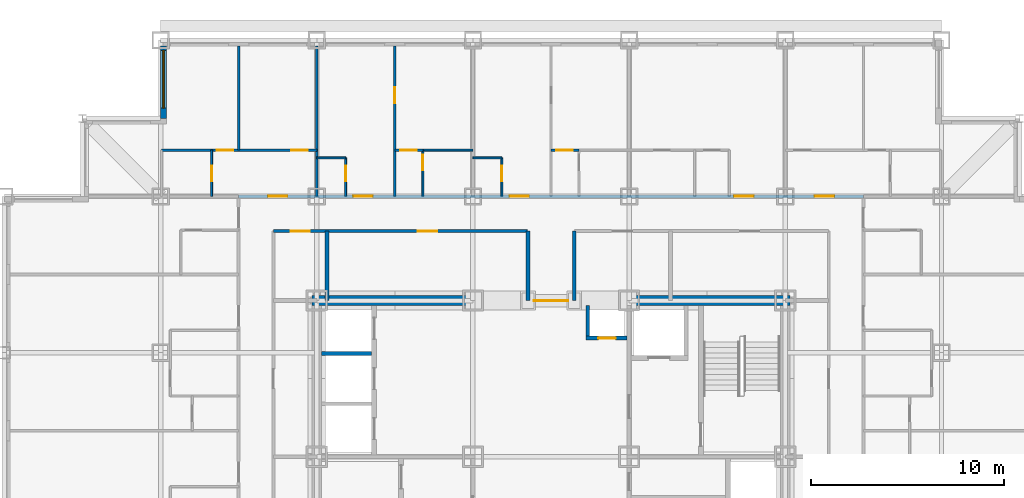
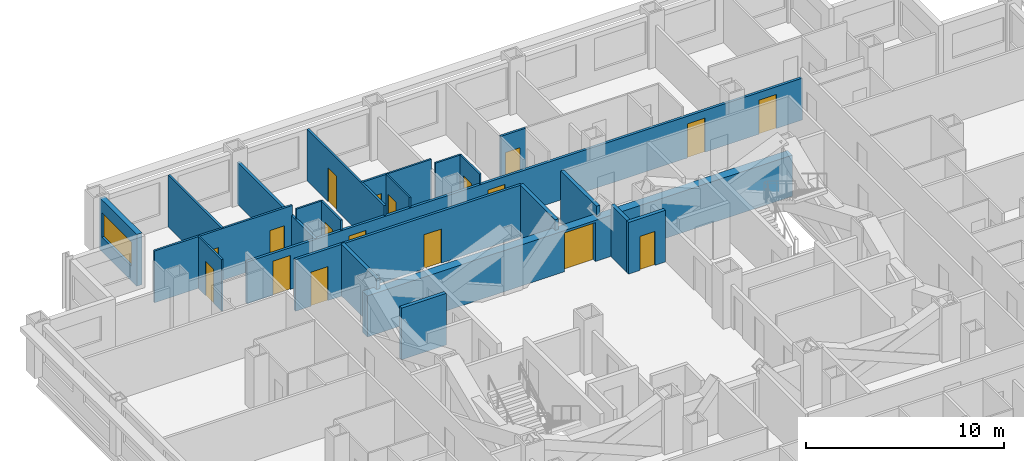
# One storey, part 9 of 12: 23 walls, 18 doors, 1 window, 19 openings.
"""IFC4 building model written with IfcOpenShell, lengths in metres."""

from ifc_helpers import new_model, si_unit, direction, frame, frame_2d, origin, place, context, subcontext, project, spatial, rectangle, extrude, material, layer, layer_set, type_object, element, fill, save


model = new_model("IFC4")

# Units and contexts
model_context = context("Model", 3, precision=1e-05, world=origin(), true_north=direction((0.0, 1.0)))
body_context = subcontext(model_context, "Body", "Model", "MODEL_VIEW")
ifc_project = project(units=[si_unit("LENGTHUNIT", "METRE"), si_unit("AREAUNIT", "SQUARE_METRE"), si_unit("VOLUMEUNIT", "CUBIC_METRE"), si_unit("PLANEANGLEUNIT", "RADIAN"), si_unit("MASSUNIT", "GRAM", prefix="KILO")], contexts=[model_context])

# Site, building, storey
site_placement = place(None, origin())
site = spatial("IfcSite", under=ifc_project, at=site_placement, CompositionType="ELEMENT")
building_placement = place(site_placement, origin())
building = spatial("IfcBuilding", under=site, at=building_placement, Name="Kopane Lantern Tower", CompositionType="ELEMENT")
storey_placement = place(building_placement, frame((0.0, 0.0, 117.0)))
storey = spatial("IfcBuildingStorey", under=building, at=storey_placement, Name="L29", CompositionType="ELEMENT", Elevation=117.0)

# Wall, opening, door
ifc_material_1 = material(Name="Gypsum board on steel studs", Category="steel")
ifc_layer_1 = layer(ifc_material_1, 0.1201171875)
ifc_layer_set_1 = layer_set([ifc_layer_1], Name="APARTMENT INTERNAL WALL 120")
wall_type_1 = type_object("IfcWallType", Name="APARTMENT INTERNAL WALL 120", PredefinedType="PARTITIONING", material=ifc_layer_set_1)
wall_1_placement = place(storey_placement, frame((20.25, 45.89990234375, 0.0), z_axis=(0.0, 0.0, 1.0), x_axis=(0.0, 1.0, 0.0)))
wall_1 = element("IfcWall", 1, at=wall_1_placement, inside=storey, type_object=wall_type_1, Name="Apartment Internal Wall 120 L29", PredefinedType="PARTITIONING", context=body_context, shape_type="SweptSolid", body=[
    extrude(rectangle(XDim=7.800048828125, YDim=0.1201171875, at=frame_2d((3.89990234375, 0.0))), origin(), (0.0, 0.0, 1.0), 3.18994140625),
])
opening_1_placement = place(wall_1_placement, frame((4.824951171875, 0.0, 0.0)))
opening_1 = element("IfcOpeningElement", 2, at=opening_1_placement, cuts=wall_1, Name="Opening L29-027", PredefinedType="OPENING", context=body_context, shape_type="SweptSolid", body=[
    extrude(rectangle(XDim=0.85009765625, YDim=2.10009765625, at=frame_2d((0.425048828125, 1.050048828125))), frame((0.0, 0.070068359375, 0.0), z_axis=(0.0, -1.0, 0.0), x_axis=(1.0, 0.0, 0.0)), (0.0, 0.0, 1.0), 0.14013671875),
])
ifc_material_2 = material(Name="Timber door set", Category="wood")
door_type_1 = type_object("IfcDoorType", Name="DOOR D4 850x2100", OperationType="SINGLE_SWING_LEFT", PredefinedType="DOOR", material=ifc_material_2)
door_1_placement = place(opening_1_placement, origin())
door_1 = element("IfcDoor", 3, at=door_1_placement, inside=storey, type_object=door_type_1, Name="Door L29-027", OperationType="SINGLE_SWING_RIGHT", OverallHeight=2.10009765625, OverallWidth=0.85009765625, PredefinedType="DOOR", context=body_context, shape_type="SweptSolid", body=[
    extrude(rectangle(XDim=0.85009765625, YDim=2.10009765625, at=frame_2d((0.425048828125, 1.050048828125))), frame((0.0, 0.02490234375, 0.0), z_axis=(0.0, -1.0, 0.0), x_axis=(1.0, 0.0, 0.0)), (0.0, 0.0, 1.0), 0.050048828125),
])
fill(opening_1, door_1)

# Wall, openings, doors
wall_2_placement = place(storey_placement, frame((8.14990234375, 48.300048828125, 0.0), z_axis=(0.0, 0.0, 1.0), x_axis=(1.0, 0.0, 0.0)))
wall_2 = element("IfcWall", 4, at=wall_2_placement, inside=storey, type_object=wall_type_1, Name="Apartment Internal Wall 120 L29", PredefinedType="PARTITIONING", context=body_context, shape_type="SweptSolid", body=[
    extrude(rectangle(XDim=8.050048828125, YDim=0.1201171875, at=frame_2d((4.02490234375, 0.0))), origin(), (0.0, 0.0, 1.0), 3.18994140625),
])
opening_2_placement = place(wall_2_placement, frame((6.72509765625, 0.0, 0.0)))
opening_2 = element("IfcOpeningElement", 5, at=opening_2_placement, cuts=wall_2, Name="Opening L29-072", PredefinedType="OPENING", context=body_context, shape_type="SweptSolid", body=[
    extrude(rectangle(XDim=0.85009765625, YDim=2.10009765625, at=frame_2d((0.425048828125, 1.050048828125))), frame((0.0, 0.070068359375, 0.0), z_axis=(0.0, -1.0, 0.0), x_axis=(1.0, 0.0, 0.0)), (0.0, 0.0, 1.0), 0.14013671875),
])
opening_3_placement = place(wall_2_placement, frame((2.875, 0.0, 0.0)))
opening_3 = element("IfcOpeningElement", 6, at=opening_3_placement, cuts=wall_2, Name="Opening L29-074", PredefinedType="OPENING", context=body_context, shape_type="SweptSolid", body=[
    extrude(rectangle(XDim=0.85009765625, YDim=2.10009765625, at=frame_2d((0.425048828125, 1.050048828125))), frame((0.0, 0.070068359375, 0.0), z_axis=(0.0, -1.0, 0.0), x_axis=(1.0, 0.0, 0.0)), (0.0, 0.0, 1.0), 0.14013671875),
])
door_2_placement = place(opening_2_placement, origin())
door_2 = element("IfcDoor", 7, at=door_2_placement, inside=storey, type_object=door_type_1, Name="Door L29-072", OperationType="SINGLE_SWING_LEFT", OverallHeight=2.10009765625, OverallWidth=0.85009765625, PredefinedType="DOOR", context=body_context, shape_type="SweptSolid", body=[
    extrude(rectangle(XDim=0.85009765625, YDim=2.10009765625, at=frame_2d((0.425048828125, 1.050048828125))), frame((0.0, 0.02490234375, 0.0), z_axis=(0.0, -1.0, 0.0), x_axis=(1.0, 0.0, 0.0)), (0.0, 0.0, 1.0), 0.050048828125),
])
fill(opening_2, door_2)
door_3_placement = place(opening_3_placement, origin())
door_3 = element("IfcDoor", 8, at=door_3_placement, inside=storey, type_object=door_type_1, Name="Door L29-074", OperationType="SINGLE_SWING_RIGHT", OverallHeight=2.10009765625, OverallWidth=0.85009765625, PredefinedType="DOOR", context=body_context, shape_type="SweptSolid", body=[
    extrude(rectangle(XDim=0.85009765625, YDim=2.10009765625, at=frame_2d((0.425048828125, 1.050048828125))), frame((0.0, 0.02490234375, 0.0), z_axis=(0.0, -1.0, 0.0), x_axis=(1.0, 0.0, 0.0)), (0.0, 0.0, 1.0), 0.050048828125),
])
fill(opening_3, door_3)

# Wall
wall_3_placement = place(storey_placement, frame((12.14990234375, 48.300048828125, 0.0), z_axis=(0.0, 0.0, 1.0), x_axis=(0.0, 1.0, 0.0)))
element("IfcWall", 9, at=wall_3_placement, inside=storey, type_object=wall_type_1, Name="Apartment Internal Wall 120 L29", PredefinedType="PARTITIONING", context=body_context, shape_type="SweptSolid", body=[
    extrude(rectangle(XDim=5.39990234375, YDim=0.1201171875, at=frame_2d((2.699951171875, 0.0))), origin(), (0.0, 0.0, 1.0), 3.18994140625),
])

# Wall, opening, door
wall_4_placement = place(storey_placement, frame((20.25, 48.300048828125, 0.0), z_axis=(0.0, 0.0, 1.0), x_axis=(1.0, 0.0, 0.0)))
wall_4 = element("IfcWall", 10, at=wall_4_placement, inside=storey, type_object=wall_type_1, Name="Apartment Internal Wall 120 L29", PredefinedType="PARTITIONING", context=body_context, shape_type="SweptSolid", body=[
    extrude(rectangle(XDim=1.4599609375, YDim=0.1201171875, at=frame_2d((0.72998046875, 0.0))), origin(), (0.0, 0.0, 1.0), 3.18994140625),
])
opening_4_placement = place(wall_4_placement, frame((0.27490234375, 0.0, 0.0)))
opening_4 = element("IfcOpeningElement", 11, at=opening_4_placement, cuts=wall_4, Name="Opening L29-078", PredefinedType="OPENING", context=body_context, shape_type="SweptSolid", body=[
    extrude(rectangle(XDim=0.85009765625, YDim=2.10009765625, at=frame_2d((0.425048828125, 1.050048828125))), frame((0.0, 0.070068359375, 0.0), z_axis=(0.0, -1.0, 0.0), x_axis=(1.0, 0.0, 0.0)), (0.0, 0.0, 1.0), 0.14013671875),
])
door_4_placement = place(opening_4_placement, origin())
door_4 = element("IfcDoor", 12, at=door_4_placement, inside=storey, type_object=door_type_1, Name="Door L29-078", OperationType="SINGLE_SWING_LEFT", OverallHeight=2.10009765625, OverallWidth=0.85009765625, PredefinedType="DOOR", context=body_context, shape_type="SweptSolid", body=[
    extrude(rectangle(XDim=0.85009765625, YDim=2.10009765625, at=frame_2d((0.425048828125, 1.050048828125))), frame((0.0, 0.02490234375, 0.0), z_axis=(0.0, -1.0, 0.0), x_axis=(1.0, 0.0, 0.0)), (0.0, 0.0, 1.0), 0.050048828125),
])
fill(opening_4, door_4)

wall_5_placement = place(storey_placement, frame((28.35009765625, 48.300048828125, 0.0), z_axis=(0.0, 0.0, 1.0), x_axis=(1.0, 0.0, 0.0)))
wall_5 = element("IfcWall", 13, at=wall_5_placement, inside=storey, type_object=wall_type_1, Name="Apartment Internal Wall 120 L29", PredefinedType="PARTITIONING", context=body_context, shape_type="SweptSolid", body=[
    extrude(rectangle(XDim=1.4599609375, YDim=0.1201171875, at=frame_2d((0.72998046875, 0.0))), origin(), (0.0, 0.0, 1.0), 3.18994140625),
])
opening_5_placement = place(wall_5_placement, frame((0.27490234375, 0.0, 0.0)))
opening_5 = element("IfcOpeningElement", 14, at=opening_5_placement, cuts=wall_5, Name="Opening L29-079", PredefinedType="OPENING", context=body_context, shape_type="SweptSolid", body=[
    extrude(rectangle(XDim=0.85009765625, YDim=2.10009765625, at=frame_2d((0.425048828125, 1.050048828125))), frame((0.0, 0.070068359375, 0.0), z_axis=(0.0, -1.0, 0.0), x_axis=(1.0, 0.0, 0.0)), (0.0, 0.0, 1.0), 0.14013671875),
])
door_5_placement = place(opening_5_placement, origin())
door_5 = element("IfcDoor", 15, at=door_5_placement, inside=storey, type_object=door_type_1, Name="Door L29-079", OperationType="SINGLE_SWING_LEFT", OverallHeight=2.10009765625, OverallWidth=0.85009765625, PredefinedType="DOOR", context=body_context, shape_type="SweptSolid", body=[
    extrude(rectangle(XDim=0.85009765625, YDim=2.10009765625, at=frame_2d((0.425048828125, 1.050048828125))), frame((0.0, 0.02490234375, 0.0), z_axis=(0.0, -1.0, 0.0), x_axis=(1.0, 0.0, 0.0)), (0.0, 0.0, 1.0), 0.050048828125),
])
fill(opening_5, door_5)

# Wall
ifc_material_3 = material(Name="Moisture-resistant board on steel studs", Category="steel")
ifc_layer_2 = layer(ifc_material_3, 0.10009765625)
ifc_layer_set_2 = layer_set([ifc_layer_2], Name="BATHROOM WALL 100")
wall_type_2 = type_object("IfcWallType", Name="BATHROOM WALL 100", PredefinedType="PARTITIONING", material=ifc_layer_set_2)
wall_6_placement = place(storey_placement, frame((16.199951171875, 47.89990234375, 0.0), z_axis=(0.0, 0.0, 1.0), x_axis=(1.0, 0.0, 0.0)))
element("IfcWall", 16, at=wall_6_placement, inside=storey, type_object=wall_type_2, Name="Bathroom Wall 100 L29", PredefinedType="PARTITIONING", context=body_context, shape_type="SweptSolid", body=[
    extrude(rectangle(XDim=1.5, YDim=0.10009765625, at=frame_2d((0.75, 0.0))), origin(), (0.0, 0.0, 1.0), 3.18994140625),
])

# Wall, opening, door
wall_7_placement = place(storey_placement, frame((17.699951171875, 45.89990234375, 0.0), z_axis=(0.0, 0.0, 1.0), x_axis=(0.0, 1.0, 0.0)))
wall_7 = element("IfcWall", 17, at=wall_7_placement, inside=storey, type_object=wall_type_2, Name="Bathroom Wall 100 L29", PredefinedType="PARTITIONING", context=body_context, shape_type="SweptSolid", body=[
    extrude(rectangle(XDim=2.0, YDim=0.10009765625, at=frame_2d((1.0, 0.0))), origin(), (0.0, 0.0, 1.0), 3.18994140625),
])
opening_6_placement = place(wall_7_placement, frame((0.800048828125, 0.0, 0.0)))
opening_6 = element("IfcOpeningElement", 18, at=opening_6_placement, cuts=wall_7, Name="Opening L29-024", PredefinedType="OPENING", context=body_context, shape_type="SweptSolid", body=[
    extrude(rectangle(XDim=0.800048828125, YDim=2.10009765625, at=frame_2d((0.39990234375, 1.050048828125))), frame((0.0, 0.06005859375, 0.0), z_axis=(0.0, -1.0, 0.0), x_axis=(1.0, 0.0, 0.0)), (0.0, 0.0, 1.0), 0.1201171875),
])
ifc_material_4 = material(Name="Timber door set", Category="wood")
door_type_2 = type_object("IfcDoorType", Name="DOOR D2 800x2100", OperationType="SINGLE_SWING_LEFT", PredefinedType="DOOR", material=ifc_material_4)
door_6_placement = place(opening_6_placement, origin())
door_6 = element("IfcDoor", 19, at=door_6_placement, inside=storey, type_object=door_type_2, Name="Door L29-024", OperationType="SINGLE_SWING_RIGHT", OverallHeight=2.10009765625, OverallWidth=0.800048828125, PredefinedType="DOOR", context=body_context, shape_type="SweptSolid", body=[
    extrude(rectangle(XDim=0.800048828125, YDim=2.10009765625, at=frame_2d((0.39990234375, 1.050048828125))), frame((0.0, 0.02490234375, 0.0), z_axis=(0.0, -1.0, 0.0), x_axis=(1.0, 0.0, 0.0)), (0.0, 0.0, 1.0), 0.050048828125),
])
fill(opening_6, door_6)

# Wall
wall_8_placement = place(storey_placement, frame((21.699951171875, 48.300048828125, 0.0), z_axis=(0.0, 0.0, 1.0), x_axis=(1.0, 0.0, 0.0)))
element("IfcWall", 20, at=wall_8_placement, inside=storey, type_object=wall_type_2, Name="Bathroom Wall 100 L29", PredefinedType="PARTITIONING", context=body_context, shape_type="SweptSolid", body=[
    extrude(rectangle(XDim=2.60009765625, YDim=0.10009765625, at=frame_2d((1.300048828125, 0.0))), origin(), (0.0, 0.0, 1.0), 3.18994140625),
])

# Wall, opening, door
wall_9_placement = place(storey_placement, frame((21.699951171875, 45.89990234375, 0.0), z_axis=(0.0, 0.0, 1.0), x_axis=(0.0, 1.0, 0.0)))
wall_9 = element("IfcWall", 21, at=wall_9_placement, inside=storey, type_object=wall_type_2, Name="Bathroom Wall 100 L29", PredefinedType="PARTITIONING", context=body_context, shape_type="SweptSolid", body=[
    extrude(rectangle(XDim=2.400146484375, YDim=0.10009765625, at=frame_2d((1.2001953125, 0.0))), origin(), (0.0, 0.0, 1.0), 3.18994140625),
])
opening_7_placement = place(wall_9_placement, frame((1.35009765625, 0.0, 0.0)))
opening_7 = element("IfcOpeningElement", 22, at=opening_7_placement, cuts=wall_9, Name="Opening L29-026", PredefinedType="OPENING", context=body_context, shape_type="SweptSolid", body=[
    extrude(rectangle(XDim=0.800048828125, YDim=2.10009765625, at=frame_2d((0.39990234375, 1.050048828125))), frame((0.0, 0.06005859375, 0.0), z_axis=(0.0, -1.0, 0.0), x_axis=(1.0, 0.0, 0.0)), (0.0, 0.0, 1.0), 0.1201171875),
])
door_7_placement = place(opening_7_placement, origin())
door_7 = element("IfcDoor", 23, at=door_7_placement, inside=storey, type_object=door_type_2, Name="Door L29-026", OperationType="SINGLE_SWING_RIGHT", OverallHeight=2.10009765625, OverallWidth=0.800048828125, PredefinedType="DOOR", context=body_context, shape_type="SweptSolid", body=[
    extrude(rectangle(XDim=0.800048828125, YDim=2.10009765625, at=frame_2d((0.39990234375, 1.050048828125))), frame((0.0, 0.02490234375, 0.0), z_axis=(0.0, -1.0, 0.0), x_axis=(1.0, 0.0, 0.0)), (0.0, 0.0, 1.0), 0.050048828125),
])
fill(opening_7, door_7)

# Wall
wall_10_placement = place(storey_placement, frame((24.300048828125, 47.89990234375, 0.0), z_axis=(0.0, 0.0, 1.0), x_axis=(1.0, 0.0, 0.0)))
element("IfcWall", 24, at=wall_10_placement, inside=storey, type_object=wall_type_2, Name="Bathroom Wall 100 L29", PredefinedType="PARTITIONING", context=body_context, shape_type="SweptSolid", body=[
    extrude(rectangle(XDim=1.5, YDim=0.10009765625, at=frame_2d((0.75, 0.0))), origin(), (0.0, 0.0, 1.0), 3.18994140625),
])

# Wall, opening, door
wall_11_placement = place(storey_placement, frame((25.800048828125, 45.89990234375, 0.0), z_axis=(0.0, 0.0, 1.0), x_axis=(0.0, 1.0, 0.0)))
wall_11 = element("IfcWall", 25, at=wall_11_placement, inside=storey, type_object=wall_type_2, Name="Bathroom Wall 100 L29", PredefinedType="PARTITIONING", context=body_context, shape_type="SweptSolid", body=[
    extrude(rectangle(XDim=2.0, YDim=0.10009765625, at=frame_2d((1.0, 0.0))), origin(), (0.0, 0.0, 1.0), 3.18994140625),
])
opening_8_placement = place(wall_11_placement, frame((0.800048828125, 0.0, 0.0)))
opening_8 = element("IfcOpeningElement", 26, at=opening_8_placement, cuts=wall_11, Name="Opening L29-028", PredefinedType="OPENING", context=body_context, shape_type="SweptSolid", body=[
    extrude(rectangle(XDim=0.800048828125, YDim=2.10009765625, at=frame_2d((0.39990234375, 1.050048828125))), frame((0.0, 0.06005859375, 0.0), z_axis=(0.0, -1.0, 0.0), x_axis=(1.0, 0.0, 0.0)), (0.0, 0.0, 1.0), 0.1201171875),
])
door_8_placement = place(opening_8_placement, origin())
door_8 = element("IfcDoor", 27, at=door_8_placement, inside=storey, type_object=door_type_2, Name="Door L29-028", OperationType="SINGLE_SWING_RIGHT", OverallHeight=2.10009765625, OverallWidth=0.800048828125, PredefinedType="DOOR", context=body_context, shape_type="SweptSolid", body=[
    extrude(rectangle(XDim=0.800048828125, YDim=2.10009765625, at=frame_2d((0.39990234375, 1.050048828125))), frame((0.0, 0.02490234375, 0.0), z_axis=(0.0, -1.0, 0.0), x_axis=(1.0, 0.0, 0.0)), (0.0, 0.0, 1.0), 0.050048828125),
])
fill(opening_8, door_8)

wall_12_placement = place(storey_placement, frame((10.75, 45.89990234375, 0.0), z_axis=(0.0, 0.0, 1.0), x_axis=(0.0, 1.0, 0.0)))
wall_12 = element("IfcWall", 28, at=wall_12_placement, inside=storey, type_object=wall_type_2, Name="Bathroom Wall 100 L29", PredefinedType="PARTITIONING", context=body_context, shape_type="SweptSolid", body=[
    extrude(rectangle(XDim=2.400146484375, YDim=0.10009765625, at=frame_2d((1.2001953125, 0.0))), origin(), (0.0, 0.0, 1.0), 3.18994140625),
])
opening_9_placement = place(wall_12_placement, frame((0.800048828125, 0.0, 0.0)))
opening_9 = element("IfcOpeningElement", 29, at=opening_9_placement, cuts=wall_12, Name="Opening L29-073", PredefinedType="OPENING", context=body_context, shape_type="SweptSolid", body=[
    extrude(rectangle(XDim=0.800048828125, YDim=2.10009765625, at=frame_2d((0.39990234375, 1.050048828125))), frame((0.0, 0.06005859375, 0.0), z_axis=(0.0, -1.0, 0.0), x_axis=(1.0, 0.0, 0.0)), (0.0, 0.0, 1.0), 0.1201171875),
])
door_9_placement = place(opening_9_placement, origin())
door_9 = element("IfcDoor", 30, at=door_9_placement, inside=storey, type_object=door_type_2, Name="Door L29-073", OperationType="SINGLE_SWING_LEFT", OverallHeight=2.10009765625, OverallWidth=0.800048828125, PredefinedType="DOOR", context=body_context, shape_type="SweptSolid", body=[
    extrude(rectangle(XDim=0.800048828125, YDim=2.10009765625, at=frame_2d((0.39990234375, 1.050048828125))), frame((0.0, 0.02490234375, 0.0), z_axis=(0.0, -1.0, 0.0), x_axis=(1.0, 0.0, 0.0)), (0.0, 0.0, 1.0), 0.050048828125),
])
fill(opening_9, door_9)

ifc_material_5 = material(Name="Gypsum shaft wall EI 120", Category="gypsum")
ifc_layer_3 = layer(ifc_material_5, 0.5)
ifc_layer_set_3 = layer_set([ifc_layer_3], Name="CORE PERIMETER WALL 500 EI 120")
wall_type_3 = type_object("IfcWallType", Name="CORE PERIMETER WALL 500 EI 120", PredefinedType="SOLIDWALL", material=ifc_layer_set_3)
wall_13_placement = place(storey_placement, frame((15.949951171875, 40.5, 0.0), z_axis=(0.0, 0.0, 1.0), x_axis=(1.0, 0.0, 0.0)))
wall_13 = element("IfcWall", 31, at=wall_13_placement, inside=storey, type_object=wall_type_3, Name="Core shaft wall L29 PN", PredefinedType="SOLIDWALL", context=body_context, shape_type="SweptSolid", body=[
    extrude(rectangle(XDim=24.800048828125, YDim=0.5, at=frame_2d((12.39990234375, 0.0))), origin(), (0.0, 0.0, 1.0), 2.5400390625),
])
opening_10_placement = place(wall_13_placement, frame((11.5, 0.0, 0.0)))
opening_10 = element("IfcOpeningElement", 32, at=opening_10_placement, cuts=wall_13, Name="Opening 29.CE-N", PredefinedType="OPENING", context=body_context, shape_type="SweptSolid", body=[
    extrude(rectangle(XDim=1.800048828125, YDim=2.39990234375, at=frame_2d((0.89990234375, 1.199951171875))), frame((0.0, 0.260009765625, 0.0), z_axis=(0.0, -1.0, 0.0), x_axis=(1.0, 0.0, 0.0)), (0.0, 0.0, 1.0), 0.52001953125),
])
ifc_material_6 = material(Name="Steel door set", Category="steel")
door_type_3 = type_object("IfcDoorType", Name="CORE ENTRY DOOR 1800x2400 FD60S", OperationType="DOUBLE_DOOR_SINGLE_SWING", PredefinedType="DOOR", material=ifc_material_6)
door_10_placement = place(opening_10_placement, origin())
door_10 = element("IfcDoor", 33, at=door_10_placement, inside=storey, type_object=door_type_3, Name="Core entry door L29 north", OperationType="DOUBLE_DOOR_SINGLE_SWING", OverallHeight=2.39990234375, OverallWidth=1.800048828125, PredefinedType="DOOR", context=body_context, shape_type="SweptSolid", body=[
    extrude(rectangle(XDim=1.800048828125, YDim=2.39990234375, at=frame_2d((0.89990234375, 1.199951171875))), frame((0.0, 0.02490234375, 0.0), z_axis=(0.0, -1.0, 0.0), x_axis=(1.0, 0.0, 0.0)), (0.0, 0.0, 1.0), 0.050048828125),
])
fill(opening_10, door_10)

# Wall, openings, doors
ifc_material_7 = material(Name="Gypsum board on steel studs", Category="steel")
ifc_layer_4 = layer(ifc_material_7, 0.14990234375)
ifc_layer_set_4 = layer_set([ifc_layer_4], Name="CORRIDOR WALL 150 EI 60")
wall_type_4 = type_object("IfcWallType", Name="CORRIDOR WALL 150 EI 60", PredefinedType="PARTITIONING", material=ifc_layer_set_4)
wall_14_placement = place(storey_placement, frame((12.14990234375, 45.89990234375, 0.0), z_axis=(0.0, 0.0, 1.0), x_axis=(1.0, 0.0, 0.0)))
wall_14 = element("IfcWall", 34, at=wall_14_placement, inside=storey, type_object=wall_type_4, Name="Corridor Wall 150 Ei 60 L29", PredefinedType="PARTITIONING", context=body_context, shape_type="SweptSolid", body=[
    extrude(rectangle(XDim=32.400146484375, YDim=0.14990234375, at=frame_2d((16.2001953125, 0.0))), origin(), (0.0, 0.0, 1.0), 2.577880859375),
])
opening_11_placement = place(wall_14_placement, frame((5.949951171875, 0.0, 0.0)))
opening_11 = element("IfcOpeningElement", 35, at=opening_11_placement, cuts=wall_14, Name="Opening L29-025", PredefinedType="OPENING", context=body_context, shape_type="SweptSolid", body=[
    extrude(rectangle(XDim=1.0, YDim=2.10009765625, at=frame_2d((0.5, 1.050048828125))), frame((0.0, 0.0849609375, 0.0), z_axis=(0.0, -1.0, 0.0), x_axis=(1.0, 0.0, 0.0)), (0.0, 0.0, 1.0), 0.169921875),
])
opening_12_placement = place(wall_14_placement, frame((14.050048828125, 0.0, 0.0)))
opening_12 = element("IfcOpeningElement", 36, at=opening_12_placement, cuts=wall_14, Name="Opening L29-029", PredefinedType="OPENING", context=body_context, shape_type="SweptSolid", body=[
    extrude(rectangle(XDim=1.0, YDim=2.10009765625, at=frame_2d((0.5, 1.050048828125))), frame((0.0, 0.0849609375, 0.0), z_axis=(0.0, -1.0, 0.0), x_axis=(1.0, 0.0, 0.0)), (0.0, 0.0, 1.0), 0.169921875),
])
opening_13_placement = place(wall_14_placement, frame((25.699951171875, 0.0, 0.0)))
opening_13 = element("IfcOpeningElement", 37, at=opening_13_placement, cuts=wall_14, Name="Opening L29-034", PredefinedType="OPENING", context=body_context, shape_type="SweptSolid", body=[
    extrude(rectangle(XDim=1.0, YDim=2.10009765625, at=frame_2d((0.5, 1.050048828125))), frame((0.0, 0.0849609375, 0.0), z_axis=(0.0, -1.0, 0.0), x_axis=(1.0, 0.0, 0.0)), (0.0, 0.0, 1.0), 0.169921875),
])
opening_14_placement = place(wall_14_placement, frame((29.875, 0.0, 0.0)))
opening_14 = element("IfcOpeningElement", 38, at=opening_14_placement, cuts=wall_14, Name="Opening L29-067", PredefinedType="OPENING", context=body_context, shape_type="SweptSolid", body=[
    extrude(rectangle(XDim=1.0, YDim=2.10009765625, at=frame_2d((0.5, 1.050048828125))), frame((0.0, 0.0849609375, 0.0), z_axis=(0.0, -1.0, 0.0), x_axis=(1.0, 0.0, 0.0)), (0.0, 0.0, 1.0), 0.169921875),
])
opening_15_placement = place(wall_14_placement, frame((1.52490234375, 0.0, 0.0)))
opening_15 = element("IfcOpeningElement", 39, at=opening_15_placement, cuts=wall_14, Name="Opening L29-071", PredefinedType="OPENING", context=body_context, shape_type="SweptSolid", body=[
    extrude(rectangle(XDim=1.0, YDim=2.10009765625, at=frame_2d((0.5, 1.050048828125))), frame((0.0, 0.0849609375, 0.0), z_axis=(0.0, -1.0, 0.0), x_axis=(1.0, 0.0, 0.0)), (0.0, 0.0, 1.0), 0.169921875),
])
ifc_material_8 = material(Name="Steel door set", Category="steel")
door_type_4 = type_object("IfcDoorType", Name="DOOR D1 1000x2100 FD30S", OperationType="SINGLE_SWING_LEFT", PredefinedType="DOOR", material=ifc_material_8)
door_11_placement = place(opening_11_placement, origin())
door_11 = element("IfcDoor", 40, at=door_11_placement, inside=storey, type_object=door_type_4, Name="Door L29-025", OperationType="SINGLE_SWING_LEFT", OverallHeight=2.10009765625, OverallWidth=1.0, PredefinedType="DOOR", context=body_context, shape_type="SweptSolid", body=[
    extrude(rectangle(XDim=1.0, YDim=2.10009765625, at=frame_2d((0.5, 1.050048828125))), frame((0.0, 0.02490234375, 0.0), z_axis=(0.0, -1.0, 0.0), x_axis=(1.0, 0.0, 0.0)), (0.0, 0.0, 1.0), 0.050048828125),
])
fill(opening_11, door_11)
door_12_placement = place(opening_12_placement, origin())
door_12 = element("IfcDoor", 41, at=door_12_placement, inside=storey, type_object=door_type_4, Name="Door L29-029", OperationType="SINGLE_SWING_LEFT", OverallHeight=2.10009765625, OverallWidth=1.0, PredefinedType="DOOR", context=body_context, shape_type="SweptSolid", body=[
    extrude(rectangle(XDim=1.0, YDim=2.10009765625, at=frame_2d((0.5, 1.050048828125))), frame((0.0, 0.02490234375, 0.0), z_axis=(0.0, -1.0, 0.0), x_axis=(1.0, 0.0, 0.0)), (0.0, 0.0, 1.0), 0.050048828125),
])
fill(opening_12, door_12)
door_13_placement = place(opening_13_placement, origin())
door_13 = element("IfcDoor", 42, at=door_13_placement, inside=storey, type_object=door_type_4, Name="Door L29-034", OperationType="SINGLE_SWING_LEFT", OverallHeight=2.10009765625, OverallWidth=1.0, PredefinedType="DOOR", context=body_context, shape_type="SweptSolid", body=[
    extrude(rectangle(XDim=1.0, YDim=2.10009765625, at=frame_2d((0.5, 1.050048828125))), frame((0.0, 0.02490234375, 0.0), z_axis=(0.0, -1.0, 0.0), x_axis=(1.0, 0.0, 0.0)), (0.0, 0.0, 1.0), 0.050048828125),
])
fill(opening_13, door_13)
door_14_placement = place(opening_14_placement, origin())
door_14 = element("IfcDoor", 43, at=door_14_placement, inside=storey, type_object=door_type_4, Name="Door L29-067", OperationType="SINGLE_SWING_LEFT", OverallHeight=2.10009765625, OverallWidth=1.0, PredefinedType="DOOR", context=body_context, shape_type="SweptSolid", body=[
    extrude(rectangle(XDim=1.0, YDim=2.10009765625, at=frame_2d((0.5, 1.050048828125))), frame((0.0, 0.02490234375, 0.0), z_axis=(0.0, -1.0, 0.0), x_axis=(1.0, 0.0, 0.0)), (0.0, 0.0, 1.0), 0.050048828125),
])
fill(opening_14, door_14)
door_15_placement = place(opening_15_placement, origin())
door_15 = element("IfcDoor", 44, at=door_15_placement, inside=storey, type_object=door_type_4, Name="Door L29-071", OperationType="SINGLE_SWING_RIGHT", OverallHeight=2.10009765625, OverallWidth=1.0, PredefinedType="DOOR", context=body_context, shape_type="SweptSolid", body=[
    extrude(rectangle(XDim=1.0, YDim=2.10009765625, at=frame_2d((0.5, 1.050048828125))), frame((0.0, 0.02490234375, 0.0), z_axis=(0.0, -1.0, 0.0), x_axis=(1.0, 0.0, 0.0)), (0.0, 0.0, 1.0), 0.050048828125),
])
fill(opening_15, door_15)

wall_15_placement = place(storey_placement, frame((27.139892578125, 44.10009765625, 0.0), z_axis=(0.0, 0.0, 1.0), x_axis=(-1.0, 0.0, 0.0)))
wall_15 = element("IfcWall", 45, at=wall_15_placement, inside=storey, type_object=wall_type_4, Name="Corridor Wall 150 Ei 60 L29", PredefinedType="PARTITIONING", context=body_context, shape_type="SweptSolid", body=[
    extrude(rectangle(XDim=13.18994140625, YDim=0.14990234375, at=frame_2d((6.594970703125, 0.0))), origin(), (0.0, 0.0, 1.0), 3.18994140625),
])
opening_16_placement = place(wall_15_placement, frame((11.301025390625, 0.0, 0.0)))
opening_16 = element("IfcOpeningElement", 46, at=opening_16_placement, cuts=wall_15, Name="Opening L29-009", PredefinedType="OPENING", context=body_context, shape_type="SweptSolid", body=[
    extrude(rectangle(XDim=1.0, YDim=2.10009765625, at=frame_2d((0.5, 1.050048828125))), frame((0.0, 0.0849609375, 0.0), z_axis=(0.0, -1.0, 0.0), x_axis=(1.0, 0.0, 0.0)), (0.0, 0.0, 1.0), 0.169921875),
])
opening_17_placement = place(wall_15_placement, frame((4.701171875, 0.0, 0.0)))
opening_17 = element("IfcOpeningElement", 47, at=opening_17_placement, cuts=wall_15, Name="Opening L29-010", PredefinedType="OPENING", context=body_context, shape_type="SweptSolid", body=[
    extrude(rectangle(XDim=1.0, YDim=2.10009765625, at=frame_2d((0.5, 1.050048828125))), frame((0.0, 0.0849609375, 0.0), z_axis=(0.0, -1.0, 0.0), x_axis=(1.0, 0.0, 0.0)), (0.0, 0.0, 1.0), 0.169921875),
])
ifc_material_9 = material(Name="Steel door set", Category="steel")
door_type_5 = type_object("IfcDoorType", Name="DOOR D5 1000x2100 FD60", OperationType="SINGLE_SWING_LEFT", PredefinedType="DOOR", material=ifc_material_9)
door_16_placement = place(opening_16_placement, origin())
door_16 = element("IfcDoor", 48, at=door_16_placement, inside=storey, type_object=door_type_5, Name="Door L29-009", OperationType="SINGLE_SWING_RIGHT", OverallHeight=2.10009765625, OverallWidth=1.0, PredefinedType="DOOR", context=body_context, shape_type="SweptSolid", body=[
    extrude(rectangle(XDim=1.0, YDim=2.10009765625, at=frame_2d((0.5, 1.050048828125))), frame((0.0, 0.02490234375, 0.0), z_axis=(0.0, -1.0, 0.0), x_axis=(1.0, 0.0, 0.0)), (0.0, 0.0, 1.0), 0.050048828125),
])
fill(opening_16, door_16)
door_17_placement = place(opening_17_placement, origin())
door_17 = element("IfcDoor", 49, at=door_17_placement, inside=storey, type_object=door_type_5, Name="Door L29-010", OperationType="SINGLE_SWING_LEFT", OverallHeight=2.10009765625, OverallWidth=1.0, PredefinedType="DOOR", context=body_context, shape_type="SweptSolid", body=[
    extrude(rectangle(XDim=1.0, YDim=2.10009765625, at=frame_2d((0.5, 1.050048828125))), frame((0.0, 0.02490234375, 0.0), z_axis=(0.0, -1.0, 0.0), x_axis=(1.0, 0.0, 0.0)), (0.0, 0.0, 1.0), 0.050048828125),
])
fill(opening_17, door_17)

# Wall
ifc_material_10 = material(Name="Gypsum board on steel studs", Category="steel")
ifc_layer_5 = layer(ifc_material_10, 0.14990234375)
ifc_layer_set_5 = layer_set([ifc_layer_5], Name="DEMISING WALL 150 EI 60")
wall_type_5 = type_object("IfcWallType", Name="DEMISING WALL 150 EI 60", PredefinedType="PARTITIONING", material=ifc_layer_set_5)
wall_16_placement = place(storey_placement, frame((16.199951171875, 45.89990234375, 0.0), z_axis=(0.0, 0.0, 1.0), x_axis=(0.0, 1.0, 0.0)))
element("IfcWall", 50, at=wall_16_placement, inside=storey, type_object=wall_type_5, Name="Demising Wall 150 Ei 60 L29", PredefinedType="PARTITIONING", context=body_context, shape_type="SweptSolid", body=[
    extrude(rectangle(XDim=7.800048828125, YDim=0.14990234375, at=frame_2d((3.89990234375, 0.0))), origin(), (0.0, 0.0, 1.0), 2.577880859375),
])

# Wall, opening, window
ifc_material_11 = material(Name="Terracotta rainscreen on light steel framing", Category="masonry")
ifc_layer_6 = layer(ifc_material_11, 0.300048828125)
ifc_layer_set_6 = layer_set([ifc_layer_6], Name="EXTERNAL WALL EW1 300 TERRACOTTA")
wall_type_6 = type_object("IfcWallType", Name="EXTERNAL WALL EW1 300 TERRACOTTA", PredefinedType="SOLIDWALL", material=ifc_layer_set_6)
wall_17_placement = place(storey_placement, frame((8.25, 53.699951171875, 0.0), z_axis=(0.0, 0.0, 1.0), x_axis=(0.0, -1.0, 0.0)))
wall_17 = element("IfcWall", 51, at=wall_17_placement, inside=storey, type_object=wall_type_6, Name="External wall W L29", PredefinedType="SOLIDWALL", context=body_context, shape_type="SweptSolid", body=[
    extrude(rectangle(XDim=3.75, YDim=0.300048828125, at=frame_2d((1.875, 0.0))), origin(), (0.0, 0.0, 1.0), 3.18994140625),
])
opening_18_placement = place(wall_17_placement, frame((0.22509765625, 0.0, 0.89990234375)))
opening_18 = element("IfcOpeningElement", 52, at=opening_18_placement, cuts=wall_17, Name="Opening WR300150", PredefinedType="OPENING", context=body_context, shape_type="SweptSolid", body=[
    extrude(rectangle(XDim=3.0, YDim=1.5, at=frame_2d((1.5, 0.75))), frame((0.0, 0.159912109375, 0.0), z_axis=(0.0, -1.0, 0.0), x_axis=(1.0, 0.0, 0.0)), (0.0, 0.0, 1.0), 0.320068359375),
])
ifc_material_12 = material(Name="Aluminium and clear glass", Category="aluminium")
window_type = type_object("IfcWindowType", Name="RIBBON WINDOW WR300150 3000x1500", PartitioningType="SINGLE_PANEL", PredefinedType="WINDOW", material=ifc_material_12)
window_placement = place(opening_18_placement, origin())
window = element("IfcWindow", 53, at=window_placement, inside=storey, type_object=window_type, Name="Window W L29", OverallHeight=1.5, OverallWidth=3.0, PartitioningType="SINGLE_PANEL", PredefinedType="WINDOW", context=body_context, shape_type="SweptSolid", body=[
    extrude(rectangle(XDim=3.0, YDim=1.5, at=frame_2d((1.5, 0.75))), frame((0.0, 0.030029296875, 0.0), z_axis=(0.0, -1.0, 0.0), x_axis=(1.0, 0.0, 0.0)), (0.0, 0.0, 1.0), 0.06005859375),
])
fill(opening_18, window)

# Walls
ifc_material_13 = material(Name="Concrete masonry", Category="masonry")
ifc_layer_7 = layer(ifc_material_13, 0.199951171875)
ifc_layer_set_7 = layer_set([ifc_layer_7], Name="PLANT ROOM WALL 200 EI 120")
wall_type_7 = type_object("IfcWallType", Name="PLANT ROOM WALL 200 EI 120", PredefinedType="SOLIDWALL", material=ifc_layer_set_7)
for number, where, z_axis, x_axis, name in (
    (54, (16.727783203125, 44.10009765625, 0.0), (0.0, 0.0, 1.0), (0.0, -1.0, 0.0), "Plant Room Wall 200 Ei 120 L29"),
    (55, (27.14990234375, 40.5, 0.0), (0.0, 0.0, 1.0), (0.0, 1.0, 0.0), "Plant Room Wall 200 Ei 120 L29"),
    (56, (29.550048828125, 40.5, 0.0), (0.0, 0.0, 1.0), (0.0, 1.0, 0.0), "Plant Room Wall 200 Ei 120 L29"),
):
    element("IfcWall", number, at=place(storey_placement, frame(where, z_axis=z_axis, x_axis=x_axis)), inside=storey, type_object=wall_type_7, Name=name, PredefinedType="SOLIDWALL", context=body_context, shape_type="SweptSolid", body=[
        extrude(rectangle(XDim=3.60009765625, YDim=0.199951171875, at=frame_2d((1.800048828125, 0.0))), origin(), (0.0, 0.0, 1.0), 3.18994140625),
    ])
ifc_material_14 = material(Name="Gypsum shaft wall EI 120", Category="gypsum")
ifc_layer_8 = layer(ifc_material_14, 0.199951171875)
ifc_layer_set_8 = layer_set([ifc_layer_8], Name="SHAFT WALL 200 EI 120")
wall_type_8 = type_object("IfcWallType", Name="SHAFT WALL 200 EI 120", PredefinedType="SOLIDWALL", material=ifc_layer_set_8)
wall_18_placement = place(storey_placement, frame((16.449951171875, 37.75, 0.0), z_axis=(0.0, 0.0, 1.0), x_axis=(1.0, 0.0, 0.0)))
element("IfcWall", 57, at=wall_18_placement, inside=storey, type_object=wall_type_8, Name="Core shaft wall L29 YLH23", PredefinedType="SOLIDWALL", context=body_context, shape_type="SweptSolid", body=[
    extrude(rectangle(XDim=2.60009765625, YDim=0.199951171875, at=frame_2d((1.300048828125, 0.0))), origin(), (0.0, 0.0, 1.0), 3.18994140625),
])
wall_19_placement = place(storey_placement, frame((30.25, 38.64990234375, 0.0), z_axis=(0.0, 0.0, 1.0), x_axis=(0.0, 1.0, 0.0)))
element("IfcWall", 58, at=wall_19_placement, inside=storey, type_object=wall_type_8, Name="Core shaft wall L29 XRS2", PredefinedType="SOLIDWALL", context=body_context, shape_type="SweptSolid", body=[
    extrude(rectangle(XDim=1.60009765625, YDim=0.199951171875, at=frame_2d((0.800048828125, 0.0))), origin(), (0.0, 0.0, 1.0), 3.18994140625),
])

# Wall, opening, door
wall_20_placement = place(storey_placement, frame((30.14990234375, 38.550048828125, 0.0), z_axis=(0.0, 0.0, 1.0), x_axis=(1.0, 0.0, 0.0)))
wall_20 = element("IfcWall", 59, at=wall_20_placement, inside=storey, type_object=wall_type_8, Name="Core shaft wall L29 YRS2", PredefinedType="SOLIDWALL", context=body_context, shape_type="SweptSolid", body=[
    extrude(rectangle(XDim=2.150146484375, YDim=0.199951171875, at=frame_2d((1.0751953125, 0.0))), origin(), (0.0, 0.0, 1.0), 3.18994140625),
])
opening_19_placement = place(wall_20_placement, frame((0.64990234375, 0.0, 0.0)))
opening_19 = element("IfcOpeningElement", 60, at=opening_19_placement, cuts=wall_20, Name="Opening 29.RS2", PredefinedType="OPENING", context=body_context, shape_type="SweptSolid", body=[
    extrude(rectangle(XDim=0.89990234375, YDim=2.10009765625, at=frame_2d((0.449951171875, 1.050048828125))), frame((0.0, 0.10986328125, 0.0), z_axis=(0.0, -1.0, 0.0), x_axis=(1.0, 0.0, 0.0)), (0.0, 0.0, 1.0), 0.219970703125),
])
ifc_material_15 = material(Name="Steel door set", Category="steel")
door_type_6 = type_object("IfcDoorType", Name="RISER ACCESS DOOR 900x2100 FD60", OperationType="SINGLE_SWING_LEFT", PredefinedType="DOOR", material=ifc_material_15)
door_18_placement = place(opening_19_placement, origin())
door_18 = element("IfcDoor", 61, at=door_18_placement, inside=storey, type_object=door_type_6, Name="Riser access door RS2 L29", OperationType="SINGLE_SWING_LEFT", OverallHeight=2.10009765625, OverallWidth=0.89990234375, PredefinedType="DOOR", context=body_context, shape_type="SweptSolid", body=[
    extrude(rectangle(XDim=0.89990234375, YDim=2.10009765625, at=frame_2d((0.449951171875, 1.050048828125))), frame((0.0, 0.02490234375, 0.0), z_axis=(0.0, -1.0, 0.0), x_axis=(1.0, 0.0, 0.0)), (0.0, 0.0, 1.0), 0.050048828125),
])
fill(opening_19, door_18)

save(model, "model.ifc")
